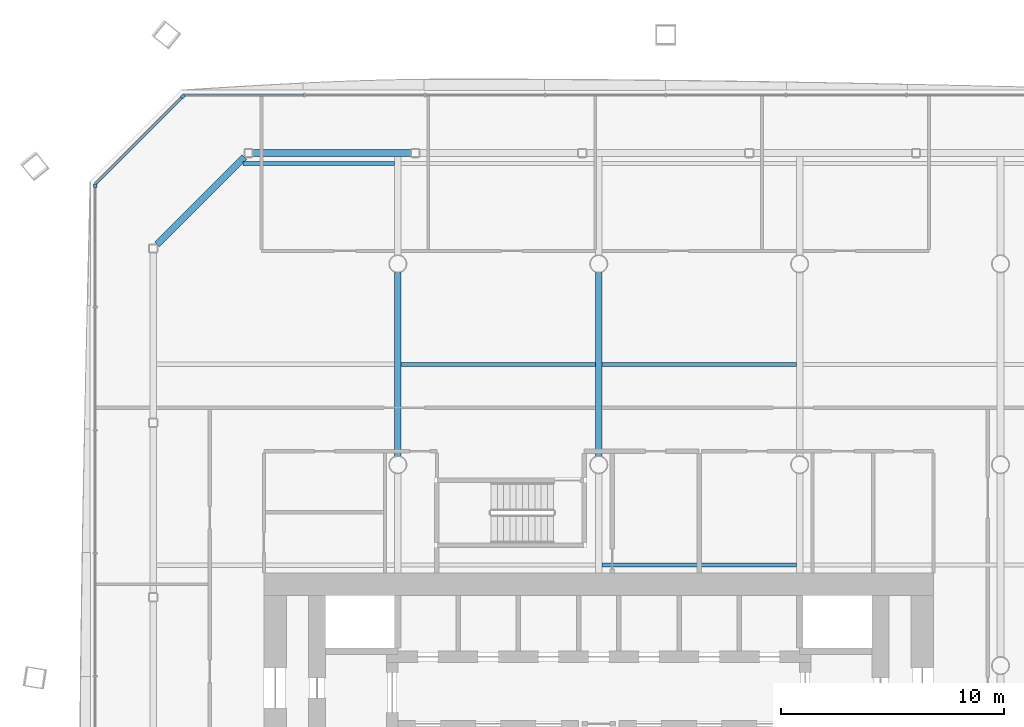
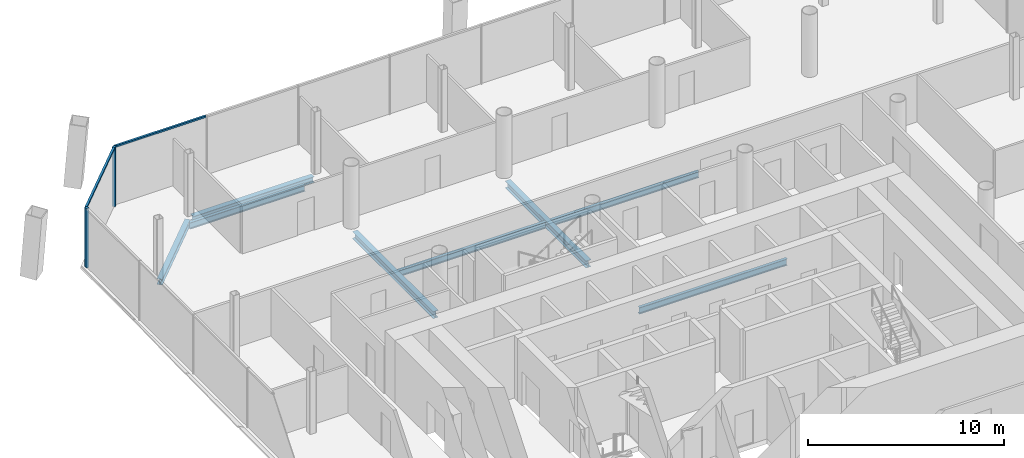
# One storey, part 8 of 20: 8 beams, 4 members, 3 elements without a shape of their own.
"""IFC4 building model written with IfcOpenShell, lengths in metres."""

from ifc_helpers import new_model, si_unit, direction, frame, origin, origin_2d, place, context, subcontext, project, spatial, rectangle, i_section, extrude, material, material_profile, profile_set, type_object, element, aggregate, save


model = new_model("IFC4")

# Units and contexts
model_context = context("Model", 3, precision=1e-05, world=origin(), true_north=direction((0.0, 1.0)))
body_context = subcontext(model_context, "Body", "Model", "MODEL_VIEW")
ifc_project = project(units=[si_unit("LENGTHUNIT", "METRE"), si_unit("AREAUNIT", "SQUARE_METRE"), si_unit("VOLUMEUNIT", "CUBIC_METRE"), si_unit("PLANEANGLEUNIT", "RADIAN"), si_unit("MASSUNIT", "GRAM", prefix="KILO")], contexts=[model_context])

# Site, building, storey
site_placement = place(None, origin())
site = spatial("IfcSite", under=ifc_project, at=site_placement, CompositionType="ELEMENT")
building_placement = place(site_placement, origin())
building = spatial("IfcBuilding", under=site, at=building_placement, Name="Tskaro Facet Tower", CompositionType="ELEMENT")
storey_placement = place(building_placement, frame((0.0, 0.0, 69.89990234375)))
storey = spatial("IfcBuildingStorey", under=building, at=storey_placement, Name="L16", CompositionType="ELEMENT", Elevation=69.89990234375)

# Curtain wall, member
ifc_material_1 = material(Name="Bronze anodised aluminium 6063-T6", Category="aluminium")
curtain_wall_type = type_object("IfcCurtainWallType", Name="Bronze office curtain wall (FW1)", PredefinedType="NOTDEFINED", material=ifc_material_1)
curtain_wall_1_placement = place(storey_placement, origin())
curtain_wall_1 = element("IfcCurtainWall", 1, at=curtain_wall_1_placement, inside=storey, type_object=curtain_wall_type, Name="FW1 north-west facet L16", PredefinedType="NOTDEFINED")
ifc_material_profile_1 = material_profile(ifc_material_1, rectangle(XDim=0.159912109375, YDim=0.159912109375, at=origin_2d()), Name="Corner post 160x160")
ifc_profile_set_1 = profile_set([ifc_material_profile_1], Name="Bronze anodised aluminium 6063-T6")
member_type_1 = type_object("IfcMemberType", Name="FW1 bronze corner post 160x160", PredefinedType="MULLION", material=ifc_profile_set_1)
member_1_placement = place(storey_placement, frame((-18.630615234375, 25.50244140625, 0.0), z_axis=(0.0, 0.0, 1.0), x_axis=(-0.707106781187, -0.707106781187, 0.0)))
member_1 = element("IfcMember", 2, at=member_1_placement, type_object=member_type_1, Name="FW1 north-west corner post", PredefinedType="MULLION", context=body_context, shape_type="SweptSolid", body=[
    extrude(rectangle(XDim=0.159912109375, YDim=0.159912109375, at=origin_2d()), origin(), (0.0, 0.0, 1.0), 3.7001953125),
])

curtain_wall_2_placement = place(storey_placement, origin())
curtain_wall_2 = element("IfcCurtainWall", 3, at=curtain_wall_2_placement, inside=storey, type_object=curtain_wall_type, Name="FW1 west facet L16", PredefinedType="NOTDEFINED")
member_2_placement = place(storey_placement, frame((-22.55908203125, 21.493896484375, 0.0), z_axis=(0.0, 0.0, 1.0), x_axis=(0.0, -1.0, 0.0)))
member_2 = element("IfcMember", 4, at=member_2_placement, type_object=member_type_1, Name="FW1 west corner post", PredefinedType="MULLION", context=body_context, shape_type="SweptSolid", body=[
    extrude(rectangle(XDim=0.159912109375, YDim=0.159912109375, at=origin_2d()), origin(), (0.0, 0.0, 1.0), 3.7001953125),
])
aggregate(curtain_wall_2, [member_2])

curtain_wall_3_placement = place(storey_placement, origin())
curtain_wall_3 = element("IfcCurtainWall", 5, at=curtain_wall_3_placement, inside=storey, type_object=curtain_wall_type, Name="FW1 north facet L16", PredefinedType="NOTDEFINED")
ifc_material_profile_2 = material_profile(ifc_material_1, rectangle(XDim=0.1201171875, YDim=0.10009765625, at=origin_2d()), Name="Transom 120x100")
ifc_profile_set_2 = profile_set([ifc_material_profile_2], Name="Bronze anodised aluminium 6063-T6")
member_type_2 = type_object("IfcMemberType", Name="FW1 bronze transom 120x100", PredefinedType="USERDEFINED", material=ifc_profile_set_2)
member_3_placement = place(storey_placement, frame((-13.21044921875, 25.55908203125, 3.650146484375), z_axis=(-1.0, 0.0, 0.0), x_axis=(0.0, -1.0, 0.0)))
member_3 = element("IfcMember", 6, at=member_3_placement, type_object=member_type_2, Name="FW1 north transom 8.1", ObjectType="TRANSOM", PredefinedType="USERDEFINED", context=body_context, shape_type="SweptSolid", body=[
    extrude(rectangle(XDim=0.1201171875, YDim=0.10009765625, at=origin_2d()), origin(), (0.0, 0.0, 1.0), 5.363525390625),
])
aggregate(curtain_wall_3, [member_3])

# Member
member_4_placement = place(storey_placement, frame((-18.687255859375, 25.44580078125, 3.650146484375), z_axis=(-0.707106781187, -0.707106781187, 0.0), x_axis=(0.707106781187, -0.707106781187, 0.0)))
member_4 = element("IfcMember", 7, at=member_4_placement, type_object=member_type_2, Name="FW1 north-west transom 1.1", ObjectType="TRANSOM", PredefinedType="USERDEFINED", context=body_context, shape_type="SweptSolid", body=[
    extrude(rectangle(XDim=0.1201171875, YDim=0.10009765625, at=origin_2d()), origin(), (0.0, 0.0, 1.0), 5.4755859375),
])

aggregate(curtain_wall_1, [member_1, member_4])

# Beams
ifc_material_2 = material(Name="Steel S355J2", Category="steel")
ifc_material_profile_3 = material_profile(ifc_material_2, i_section(OverallWidth=0.300048828125, OverallDepth=0.360107421875, WebThickness=0.012451171875, FlangeThickness=0.0224609375, FilletRadius=0.027099609375, at=origin_2d()), Name="HE 360 B")
ifc_profile_set_3 = profile_set([ifc_material_profile_3], Name="Steel S355J2")
beam_type_1 = type_object("IfcBeamType", Name="HE 360 B ring beam", PredefinedType="BEAM", material=ifc_profile_set_3)
beam_1_placement = place(storey_placement, frame((-8.39404296875, 22.965087890625, -0.31982421875), z_axis=(-1.0, 0.0, 0.0), x_axis=(0.0, -1.0, 0.0)))
element("IfcBeam", 8, at=beam_1_placement, inside=storey, type_object=beam_type_1, Name="HE 360 B EB17-2", PredefinedType="BEAM", context=body_context, shape_type="SweptSolid", body=[
    extrude(i_section(OverallWidth=0.300048828125, OverallDepth=0.360107421875, WebThickness=0.012451171875, FlangeThickness=0.0224609375, FilletRadius=0.027099609375, at=origin_2d()), origin(), (0.0, 0.0, 1.0), 7.115966796875),
])
beam_2_placement = place(storey_placement, frame((-15.8759765625, 22.779052734375, -0.31982421875), z_axis=(-0.707106781187, -0.707106781187, 0.0), x_axis=(0.707106781187, -0.707106781187, 0.0)))
element("IfcBeam", 9, at=beam_2_placement, inside=storey, type_object=beam_type_1, Name="HE 360 B EB18-2", PredefinedType="BEAM", context=body_context, shape_type="SweptSolid", body=[
    extrude(i_section(OverallWidth=0.300048828125, OverallDepth=0.360107421875, WebThickness=0.012451171875, FlangeThickness=0.0224609375, FilletRadius=0.027099609375, at=origin_2d()), origin(), (0.0, 0.0, 1.0), 5.519775390625),
])
ifc_material_profile_4 = material_profile(ifc_material_2, i_section(OverallWidth=0.300048828125, OverallDepth=0.43994140625, WebThickness=0.011474609375, FlangeThickness=0.02099609375, FilletRadius=0.027099609375, at=origin_2d()), Name="HE 450 A")
ifc_profile_set_4 = profile_set([ifc_material_profile_4], Name="Steel S355J2")
beam_type_2 = type_object("IfcBeamType", Name="HE 450 A girder", PredefinedType="BEAM", material=ifc_profile_set_4)
for number, where, z_axis, x_axis, name in (
    (10, (-9.0, 9.37646484375, -0.35986328125), (0.0, 1.0, 0.0), (-1.0, 0.0, 0.0), "HE 450 A GB3-4-2"),
    (11, (0.0, 9.37646484375, -0.35986328125), (0.0, 1.0, 0.0), (-1.0, 0.0, 0.0), "HE 450 A GB4-4-2"),
):
    element("IfcBeam", number, at=place(storey_placement, frame(where, z_axis=z_axis, x_axis=x_axis)), inside=storey, type_object=beam_type_2, Name=name, PredefinedType="BEAM", context=body_context, shape_type="SweptSolid", body=[
        extrude(i_section(OverallWidth=0.300048828125, OverallDepth=0.43994140625, WebThickness=0.011474609375, FlangeThickness=0.02099609375, FilletRadius=0.027099609375, at=origin_2d()), origin(), (0.0, 0.0, 1.0), 8.2470703125),
    ])
ifc_material_profile_5 = material_profile(ifc_material_2, i_section(OverallWidth=0.179931640625, OverallDepth=0.39990234375, WebThickness=0.008544921875, FlangeThickness=0.013427734375, FilletRadius=0.02099609375, at=origin_2d()), Name="IPE 400")
ifc_profile_set_5 = profile_set([ifc_material_profile_5], Name="Steel S355J2")
beam_type_3 = type_object("IfcBeamType", Name="IPE 400 secondary beam", PredefinedType="BEAM", material=ifc_profile_set_5)
for number, where, z_axis, x_axis, name in (
    (12, (0.14990234375, 4.5, -0.33984375), (1.0, 0.0, 0.0), (0.0, 1.0, 0.0), "IPE 400 SB4a-3-2"),
    (13, (-8.85009765625, 13.5, -0.33984375), (1.0, 0.0, 0.0), (0.0, 1.0, 0.0), "IPE 400 SB5a-2-2"),
    (14, (0.14990234375, 13.5, -0.33984375), (1.0, 0.0, 0.0), (0.0, 1.0, 0.0), "IPE 400 SB5a-3-2"),
):
    element("IfcBeam", number, at=place(storey_placement, frame(where, z_axis=z_axis, x_axis=x_axis)), inside=storey, type_object=beam_type_3, Name=name, PredefinedType="BEAM", context=body_context, shape_type="SweptSolid", body=[
        extrude(i_section(OverallWidth=0.179931640625, OverallDepth=0.39990234375, WebThickness=0.008544921875, FlangeThickness=0.013427734375, FilletRadius=0.02099609375, at=origin_2d()), origin(), (0.0, 0.0, 1.0), 8.7001953125),
    ])
beam_3_placement = place(storey_placement, frame((-15.943115234375, 22.5, -0.33984375), z_axis=(1.0, 0.0, 0.0), x_axis=(0.0, 1.0, 0.0)))
element("IfcBeam", 15, at=beam_3_placement, inside=storey, type_object=beam_type_3, Name="IPE 400 SB6a-1-2", PredefinedType="BEAM", context=body_context, shape_type="SweptSolid", body=[
    extrude(i_section(OverallWidth=0.179931640625, OverallDepth=0.39990234375, WebThickness=0.008544921875, FlangeThickness=0.013427734375, FilletRadius=0.02099609375, at=origin_2d()), origin(), (0.0, 0.0, 1.0), 6.793212890625),
])

save(model, "model.ifc")
